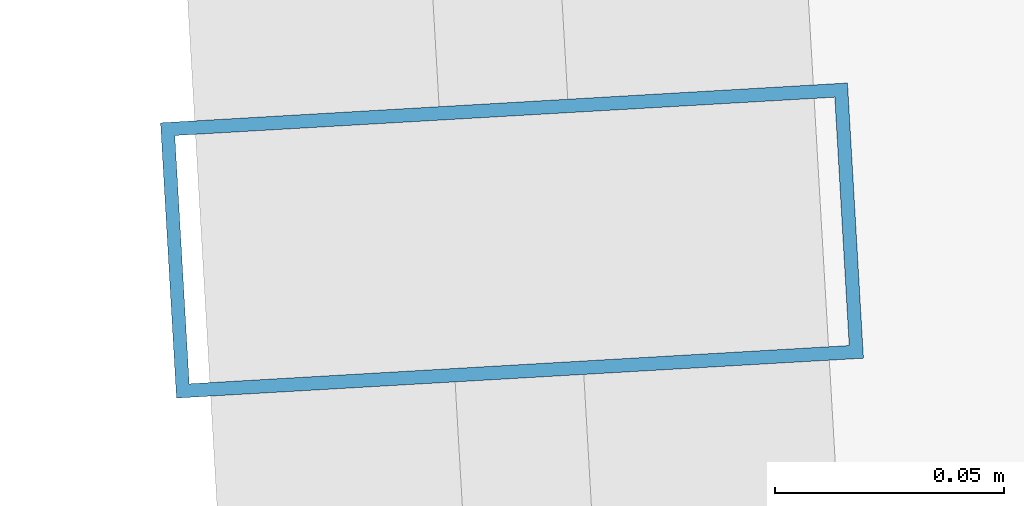
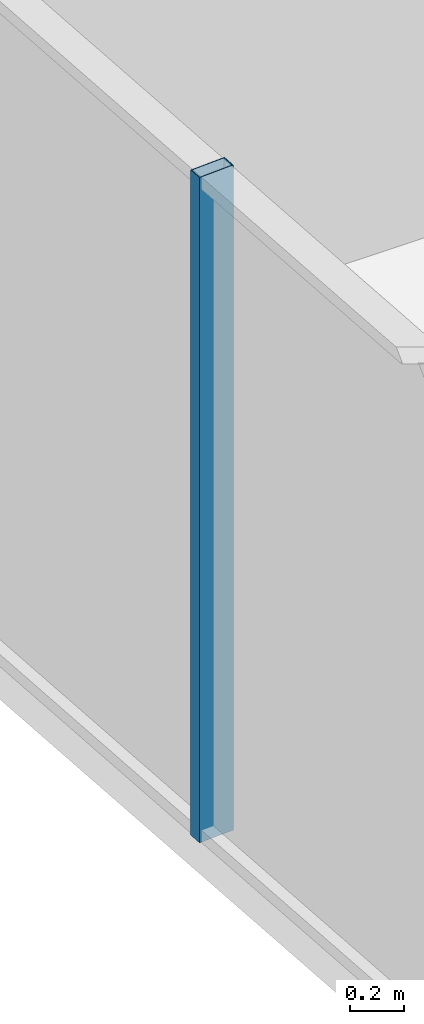
# One storey, part 12 of 33: 1 member, 1 element without a shape of its own.
"""IFC4 building model written with IfcOpenShell, lengths in metres."""

from ifc_helpers import new_model, si_unit, direction, frame, origin, origin_2d, place, context, subcontext, project, spatial, hollow_rectangle, extrude, source, transform, mapped, material, layer, layer_set, material_profile, profile_set, type_object, element, aggregate, save


model = new_model("IFC4")

# Units and contexts
model_context = context("Model", 3, precision=1e-05, world=origin(), true_north=direction((0.0, 1.0)))
body_context = subcontext(model_context, "Body", "Model", "MODEL_VIEW")
ifc_project = project(units=[si_unit("LENGTHUNIT", "METRE"), si_unit("AREAUNIT", "SQUARE_METRE"), si_unit("VOLUMEUNIT", "CUBIC_METRE"), si_unit("PLANEANGLEUNIT", "RADIAN"), si_unit("MASSUNIT", "GRAM", prefix="KILO")], contexts=[model_context])

# Site, building, storey
site_placement = place(None, origin())
site = spatial("IfcSite", under=ifc_project, at=site_placement, CompositionType="ELEMENT")
building_placement = place(site_placement, origin())
building = spatial("IfcBuilding", under=site, at=building_placement, Name="Veraguas Prism Commons", CompositionType="ELEMENT")
storey_placement = place(building_placement, frame((0.0, 0.0, 195.10009765625)))
storey = spatial("IfcBuildingStorey", under=building, at=storey_placement, Name="L55", CompositionType="ELEMENT", Elevation=195.10009765625)

# Curtain wall, member
ifc_material = material(Name="Anodised aluminium EN AW-6063 T6", Category="aluminium")
ifc_layer = layer(ifc_material, 0.14990234375, Name="Unitised Flush Curtain Wall Zone 3", Category="aluminium")
ifc_layer_set = layer_set([ifc_layer], Name="Anodised aluminium EN AW-6063 T6")
curtain_wall_type = type_object("IfcCurtainWallType", Name="Unitised Flush Curtain Wall Zone 3", PredefinedType="NOTDEFINED", material=ifc_layer_set)
curtain_wall_placement = place(storey_placement, origin())
curtain_wall = element("IfcCurtainWall", 1, at=curtain_wall_placement, inside=storey, type_object=curtain_wall_type, Name="Tower Facade Curtain Wall L55-F3", PredefinedType="NOTDEFINED")
ifc_material_profile = material_profile(ifc_material, hollow_rectangle(XDim=0.06005859375, YDim=0.14990234375, WallThickness=0.0029296875, at=origin_2d()), Name="AL60X150X3")
ifc_profile_set = profile_set([ifc_material_profile], Name="Anodised aluminium EN AW-6063 T6")
member_type = type_object("IfcMemberType", Name="Curtain Wall Mullion Upper AL 60x150x3", PredefinedType="MULLION", material=ifc_profile_set)
shared_shape = source(origin(), body_context, "Body", "SweptSolid", [
    extrude(hollow_rectangle(XDim=0.06005859375, YDim=0.14990234375, WallThickness=0.0029296875, at=origin_2d()), origin(), (0.0, 0.0, 1.0), 3.014892578125),
])
member_placement = place(storey_placement, frame((6.319580078125, 22.974365234375, 0.0), z_axis=(0.0, 0.0, 1.0), x_axis=(0.05790902568, -0.998321864303, 0.0)))
member = element("IfcMember", 2, at=member_placement, type_object=member_type, Name="CW-Z3 Mullion 3", PredefinedType="MULLION", context=body_context, shape_type="MappedRepresentation", body=[
    mapped(shared_shape, transform((0.0, 0.0, 0.0), scale=1.0)),
])
aggregate(curtain_wall, [member])

save(model, "model.ifc")
